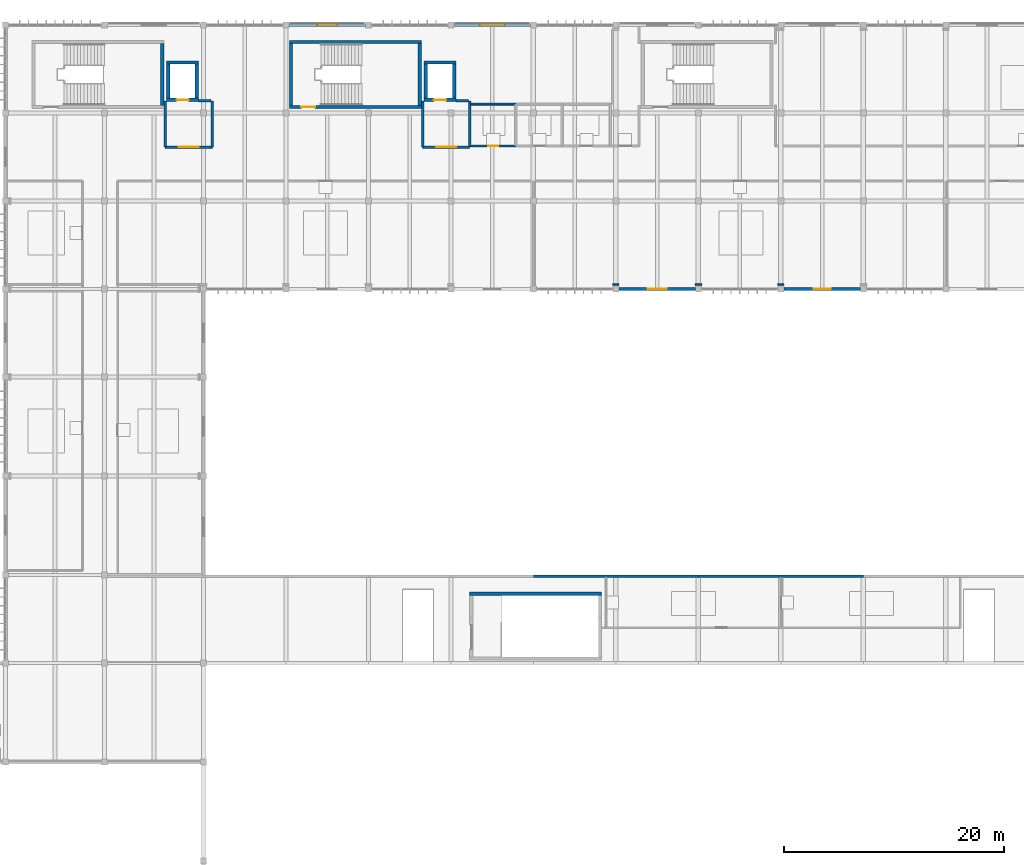
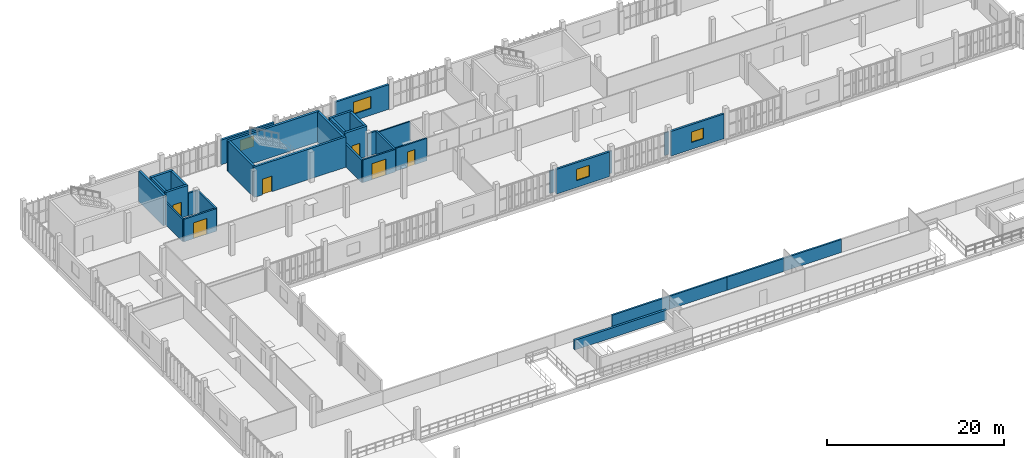
# One storey, part 43 of 61: 35 walls, 6 doors, 4 windows, 10 openings.
"""IFC4 building model written with IfcOpenShell, lengths in metres."""

from ifc_helpers import new_model, si_unit, direction, frame, frame_2d, origin, place, context, subcontext, project, spatial, rectangle, extrude, material, layer, layer_set, type_object, element, fill, save


model = new_model("IFC4")

# Units and contexts
model_context = context("Model", 3, precision=1e-05, world=origin(), true_north=direction((0.0, 1.0)))
body_context = subcontext(model_context, "Body", "Model", "MODEL_VIEW")
ifc_project = project(units=[si_unit("LENGTHUNIT", "METRE"), si_unit("AREAUNIT", "SQUARE_METRE"), si_unit("VOLUMEUNIT", "CUBIC_METRE"), si_unit("PLANEANGLEUNIT", "RADIAN"), si_unit("MASSUNIT", "GRAM", prefix="KILO")], contexts=[model_context])

# Site, building, storey
site_placement = place(None, origin())
site = spatial("IfcSite", under=ifc_project, at=site_placement, CompositionType="ELEMENT")
building_placement = place(site_placement, origin())
building = spatial("IfcBuilding", under=site, at=building_placement, Name="Vourika Railside Aquatics Centre", CompositionType="ELEMENT")
storey_placement = place(building_placement, frame((0.0, 0.0, 9.300048828125)))
storey = spatial("IfcBuildingStorey", under=building, at=storey_placement, Name="L02", CompositionType="ELEMENT", Elevation=9.300048828125)

# Wall
ifc_material_1 = material(Name="Concrete C40/50", Category="concrete")
ifc_layer_1 = layer(ifc_material_1, 0.300048828125, Name="WL-CORE")
ifc_layer_set_1 = layer_set([ifc_layer_1], Name="Concrete C40/50")
wall_type_1 = type_object("IfcWallType", Name="WL-CORE", PredefinedType="SHEAR", material=ifc_layer_set_1)
wall_1_placement = place(storey_placement, frame((32.25, 108.699951171875, 0.0), z_axis=(0.0, 0.0, 1.0), x_axis=(0.0, 1.0, 0.0)))
element("IfcWall", 1, at=wall_1_placement, inside=storey, type_object=wall_type_1, Name="Protected Exit Stair Core ST01 East Wall (L02)", PredefinedType="SHEAR", context=body_context, shape_type="SweptSolid", body=[
    extrude(rectangle(XDim=5.60009765625, YDim=0.300048828125, at=frame_2d((2.800048828125, 0.0))), origin(), (0.0, 0.0, 1.0), 4.199951171875),
])

# Wall, opening, door
wall_2_placement = place(storey_placement, frame((43.800048828125, 108.550048828125, 0.0), z_axis=(0.0, 0.0, 1.0), x_axis=(1.0, 0.0, 0.0)))
wall_2 = element("IfcWall", 2, at=wall_2_placement, inside=storey, type_object=wall_type_1, Name="Protected Exit Stair Core ST02 South Wall (L02)", PredefinedType="SHEAR", context=body_context, shape_type="SweptSolid", body=[
    extrude(rectangle(XDim=12.0, YDim=0.300048828125, at=frame_2d((6.0, 0.0))), origin(), (0.0, 0.0, 1.0), 4.199951171875),
])
opening_1_placement = place(wall_2_placement, frame((1.10009765625, 0.0, 0.0)))
opening_1 = element("IfcOpeningElement", 3, at=opening_1_placement, cuts=wall_2, Name="Opening DF02", PredefinedType="OPENING", context=body_context, shape_type="SweptSolid", body=[
    extrude(rectangle(XDim=1.25, YDim=2.14990234375, at=frame_2d((0.625, 1.074951171875))), frame((0.0, 0.16015625, 0.0), z_axis=(0.0, -1.0, 0.0), x_axis=(1.0, 0.0, 0.0)), (0.0, 0.0, 1.0), 0.320068359375),
])
ifc_material_2 = material(Name="Fire-rated wide exit stair door")
door_type_1 = type_object("IfcDoorType", Name="DR-FD60-125", OperationType="NOTDEFINED", PredefinedType="DOOR", material=ifc_material_2)
door_1_placement = place(opening_1_placement, origin())
door_1 = element("IfcDoor", 4, at=door_1_placement, inside=storey, type_object=door_type_1, Name="Protected Exit Stair Core ST02 Enclosure Fire Door (L02)", OperationType="SINGLE_SWING_RIGHT", OverallHeight=2.14990234375, OverallWidth=1.25, PredefinedType="DOOR", context=body_context, shape_type="SweptSolid", body=[
    extrude(rectangle(XDim=1.25, YDim=2.14990234375, at=frame_2d((0.625, 1.074951171875))), frame((0.0, 0.02490234375, 0.0), z_axis=(0.0, -1.0, 0.0), x_axis=(1.0, 0.0, 0.0)), (0.0, 0.0, 1.0), 0.050048828125),
])
fill(opening_1, door_1)

# Walls
wall_3_placement = place(storey_placement, frame((55.800048828125, 114.449951171875, 0.0), z_axis=(0.0, 0.0, 1.0), x_axis=(-1.0, 0.0, 0.0)))
element("IfcWall", 5, at=wall_3_placement, inside=storey, type_object=wall_type_1, Name="Protected Exit Stair Core ST02 North Wall (L02)", PredefinedType="SHEAR", context=body_context, shape_type="SweptSolid", body=[
    extrude(rectangle(XDim=12.0, YDim=0.300048828125, at=frame_2d((6.0, 0.0))), origin(), (0.0, 0.0, 1.0), 4.199951171875),
])
for number, where, z_axis, x_axis, name in (
    (6, (43.949951171875, 114.300048828125, 0.0), (0.0, 0.0, 1.0), (0.0, -1.0, 0.0), "Protected Exit Stair Core ST02 West Wall (L02)"),
    (7, (55.64990234375, 108.699951171875, 0.0), (0.0, 0.0, 1.0), (0.0, 1.0, 0.0), "Protected Exit Stair Core ST02 East Wall (L02)"),
):
    element("IfcWall", number, at=place(storey_placement, frame(where, z_axis=z_axis, x_axis=x_axis)), inside=storey, type_object=wall_type_1, Name=name, PredefinedType="SHEAR", context=body_context, shape_type="SweptSolid", body=[
        extrude(rectangle(XDim=5.60009765625, YDim=0.300048828125, at=frame_2d((2.800048828125, 0.0))), origin(), (0.0, 0.0, 1.0), 4.199951171875),
    ])
wall_4_placement = place(storey_placement, frame((72.199951171875, 64.300048828125, 0.0), z_axis=(0.0, 0.0, 1.0), x_axis=(-1.0, 0.0, 0.0)))
element("IfcWall", 8, at=wall_4_placement, inside=storey, type_object=wall_type_1, Name="Grandstand Vomitory Exit Stair ST08 North Wall (L02)", PredefinedType="SHEAR", context=body_context, shape_type="SweptSolid", body=[
    extrude(rectangle(XDim=12.0, YDim=0.300048828125, at=frame_2d((6.0, 0.0))), origin(), (0.0, 0.0, 1.0), 1.349853515625),
])

# Wall, opening, door
wall_5_placement = place(storey_placement, frame((32.64990234375, 109.199951171875, 0.0), z_axis=(0.0, 0.0, 1.0), x_axis=(1.0, 0.0, 0.0)))
wall_5 = element("IfcWall", 9, at=wall_5_placement, inside=storey, type_object=wall_type_1, Name="Lift LF01 Shaft South Wall (L02)", PredefinedType="SHEAR", context=body_context, shape_type="SweptSolid", body=[
    extrude(rectangle(XDim=2.900146484375, YDim=0.300048828125, at=frame_2d((1.4501953125, 0.0))), origin(), (0.0, 0.0, 1.0), 4.199951171875),
])
opening_2_placement = place(wall_5_placement, frame((0.89990234375, 0.0, 0.0)))
opening_2 = element("IfcOpeningElement", 10, at=opening_2_placement, cuts=wall_5, Name="Opening LD01", PredefinedType="OPENING", context=body_context, shape_type="SweptSolid", body=[
    extrude(rectangle(XDim=1.10009765625, YDim=2.14990234375, at=frame_2d((0.550048828125, 1.074951171875))), frame((0.0, 0.16015625, 0.0), z_axis=(0.0, -1.0, 0.0), x_axis=(1.0, 0.0, 0.0)), (0.0, 0.0, 1.0), 0.320068359375),
])
ifc_material_3 = material(Name="Stainless firefighting lift landing door")
door_type_2 = type_object("IfcDoorType", Name="DR-LIFT-LD1", OperationType="DOUBLE_DOOR_SLIDING", PredefinedType="DOOR", material=ifc_material_3)
door_2_placement = place(opening_2_placement, origin())
door_2 = element("IfcDoor", 11, at=door_2_placement, inside=storey, type_object=door_type_2, Name="Lift LF01 Sliding Landing Door (L02)", OperationType="DOUBLE_DOOR_SLIDING", OverallHeight=2.14990234375, OverallWidth=1.10009765625, PredefinedType="DOOR", context=body_context, shape_type="SweptSolid", body=[
    extrude(rectangle(XDim=1.10009765625, YDim=2.14990234375, at=frame_2d((0.550048828125, 1.074951171875))), frame((0.0, 0.02490234375, 0.0), z_axis=(0.0, -1.0, 0.0), x_axis=(1.0, 0.0, 0.0)), (0.0, 0.0, 1.0), 0.050048828125),
])
fill(opening_2, door_2)

# Walls
wall_6_placement = place(storey_placement, frame((35.550048828125, 112.60009765625, 0.0), z_axis=(0.0, 0.0, 1.0), x_axis=(-1.0, 0.0, 0.0)))
element("IfcWall", 12, at=wall_6_placement, inside=storey, type_object=wall_type_1, Name="Lift LF01 Shaft North Wall (L02)", PredefinedType="SHEAR", context=body_context, shape_type="SweptSolid", body=[
    extrude(rectangle(XDim=2.900146484375, YDim=0.300048828125, at=frame_2d((1.4501953125, 0.0))), origin(), (0.0, 0.0, 1.0), 4.199951171875),
])
for number, where, z_axis, x_axis, name in (
    (13, (32.800048828125, 112.60009765625, 0.0), (0.0, 0.0, 1.0), (0.0, -1.0, 0.0), "Lift LF01 Shaft West Wall (L02)"),
    (14, (35.39990234375, 109.199951171875, 0.0), (0.0, 0.0, 1.0), (0.0, 1.0, 0.0), "Lift LF01 Shaft East Wall (L02)"),
):
    element("IfcWall", number, at=place(storey_placement, frame(where, z_axis=z_axis, x_axis=x_axis)), inside=storey, type_object=wall_type_1, Name=name, PredefinedType="SHEAR", context=body_context, shape_type="SweptSolid", body=[
        extrude(rectangle(XDim=3.400146484375, YDim=0.300048828125, at=frame_2d((1.7001953125, 0.0))), origin(), (0.0, 0.0, 1.0), 4.199951171875),
    ])

# Wall, opening, door
wall_7_placement = place(storey_placement, frame((56.050048828125, 109.199951171875, 0.0), z_axis=(0.0, 0.0, 1.0), x_axis=(1.0, 0.0, 0.0)))
wall_7 = element("IfcWall", 15, at=wall_7_placement, inside=storey, type_object=wall_type_1, Name="Lift LF02 Shaft South Wall (L02)", PredefinedType="SHEAR", context=body_context, shape_type="SweptSolid", body=[
    extrude(rectangle(XDim=2.89990234375, YDim=0.300048828125, at=frame_2d((1.449951171875, 0.0))), origin(), (0.0, 0.0, 1.0), 4.199951171875),
])
opening_3_placement = place(wall_7_placement, frame((0.89990234375, 0.0, 0.0)))
opening_3 = element("IfcOpeningElement", 16, at=opening_3_placement, cuts=wall_7, Name="Opening LD01", PredefinedType="OPENING", context=body_context, shape_type="SweptSolid", body=[
    extrude(rectangle(XDim=1.10009765625, YDim=2.14990234375, at=frame_2d((0.550048828125, 1.074951171875))), frame((0.0, 0.16015625, 0.0), z_axis=(0.0, -1.0, 0.0), x_axis=(1.0, 0.0, 0.0)), (0.0, 0.0, 1.0), 0.320068359375),
])
door_3_placement = place(opening_3_placement, origin())
door_3 = element("IfcDoor", 17, at=door_3_placement, inside=storey, type_object=door_type_2, Name="Lift LF02 Sliding Landing Door (L02)", OperationType="DOUBLE_DOOR_SLIDING", OverallHeight=2.14990234375, OverallWidth=1.10009765625, PredefinedType="DOOR", context=body_context, shape_type="SweptSolid", body=[
    extrude(rectangle(XDim=1.10009765625, YDim=2.14990234375, at=frame_2d((0.550048828125, 1.074951171875))), frame((0.0, 0.02490234375, 0.0), z_axis=(0.0, -1.0, 0.0), x_axis=(1.0, 0.0, 0.0)), (0.0, 0.0, 1.0), 0.050048828125),
])
fill(opening_3, door_3)

# Walls
wall_8_placement = place(storey_placement, frame((58.949951171875, 112.60009765625, 0.0), z_axis=(0.0, 0.0, 1.0), x_axis=(-1.0, 0.0, 0.0)))
element("IfcWall", 18, at=wall_8_placement, inside=storey, type_object=wall_type_1, Name="Lift LF02 Shaft North Wall (L02)", PredefinedType="SHEAR", context=body_context, shape_type="SweptSolid", body=[
    extrude(rectangle(XDim=2.89990234375, YDim=0.300048828125, at=frame_2d((1.449951171875, 0.0))), origin(), (0.0, 0.0, 1.0), 4.199951171875),
])
for number, where, z_axis, x_axis, name in (
    (19, (56.199951171875, 112.60009765625, 0.0), (0.0, 0.0, 1.0), (0.0, -1.0, 0.0), "Lift LF02 Shaft West Wall (L02)"),
    (20, (58.800048828125, 109.199951171875, 0.0), (0.0, 0.0, 1.0), (0.0, 1.0, 0.0), "Lift LF02 Shaft East Wall (L02)"),
):
    element("IfcWall", number, at=place(storey_placement, frame(where, z_axis=z_axis, x_axis=x_axis)), inside=storey, type_object=wall_type_1, Name=name, PredefinedType="SHEAR", context=body_context, shape_type="SweptSolid", body=[
        extrude(rectangle(XDim=3.400146484375, YDim=0.300048828125, at=frame_2d((1.7001953125, 0.0))), origin(), (0.0, 0.0, 1.0), 4.199951171875),
    ])

# Wall, opening, window
ifc_material_4 = material(Name="Precast concrete C40/50", Category="concrete")
ifc_layer_2 = layer(ifc_material_4, 0.27001953125, Name="WL-EXT-270")
ifc_layer_set_2 = layer_set([ifc_layer_2], Name="Precast concrete C40/50")
wall_type_2 = type_object("IfcWallType", Name="WL-EXT-270", PredefinedType="SOLIDWALL", material=ifc_layer_set_2)
wall_9_placement = place(storey_placement, frame((50.72509765625, 116.0, 0.0), z_axis=(0.0, 0.0, 1.0), x_axis=(-1.0, 0.0, 0.0)))
wall_9 = element("IfcWall", 21, at=wall_9_placement, inside=storey, type_object=wall_type_2, Name="North Boulevard Precast Bay L02-4", PredefinedType="SOLIDWALL", context=body_context, shape_type="SweptSolid", body=[
    extrude(rectangle(XDim=6.9501953125, YDim=0.27001953125, at=frame_2d((3.47509765625, 0.0))), origin(), (0.0, 0.0, 1.0), 3.419921875),
])
opening_4_placement = place(wall_9_placement, frame((2.574951171875, 0.0, 0.949951171875)))
opening_4 = element("IfcOpeningElement", 22, at=opening_4_placement, cuts=wall_9, Name="Opening W08", PredefinedType="OPENING", context=body_context, shape_type="SweptSolid", body=[
    extrude(rectangle(XDim=1.800048828125, YDim=1.5, at=frame_2d((0.89990234375, 0.75))), frame((0.0, 0.14501953125, 0.0), z_axis=(0.0, -1.0, 0.0), x_axis=(1.0, 0.0, 0.0)), (0.0, 0.0, 1.0), 0.2900390625),
])
ifc_material_5 = material(Name="Laminated solar-control glass", Category="glass")
window_type_1 = type_object("IfcWindowType", Name="WN-CLN-180x150", PartitioningType="SINGLE_PANEL", PredefinedType="WINDOW", material=ifc_material_5)
window_1_placement = place(opening_4_placement, origin())
window_1 = element("IfcWindow", 23, at=window_1_placement, inside=storey, type_object=window_type_1, Name="North Boulevard Studio Window L02-4", OverallHeight=1.5, OverallWidth=1.800048828125, PartitioningType="SINGLE_PANEL", PredefinedType="WINDOW", context=body_context, shape_type="SweptSolid", body=[
    extrude(rectangle(XDim=1.800048828125, YDim=1.5, at=frame_2d((0.89990234375, 0.75))), frame((0.0, 0.030029296875, 0.0), z_axis=(0.0, -1.0, 0.0), x_axis=(1.0, 0.0, 0.0)), (0.0, 0.0, 1.0), 0.06005859375),
])
fill(opening_4, window_1)

wall_10_placement = place(storey_placement, frame((65.72509765625, 116.0, 0.0), z_axis=(0.0, 0.0, 1.0), x_axis=(-1.0, 0.0, 0.0)))
wall_10 = element("IfcWall", 24, at=wall_10_placement, inside=storey, type_object=wall_type_2, Name="North Boulevard Precast Bay L02-6", PredefinedType="SOLIDWALL", context=body_context, shape_type="SweptSolid", body=[
    extrude(rectangle(XDim=6.9501953125, YDim=0.27001953125, at=frame_2d((3.47509765625, 0.0))), origin(), (0.0, 0.0, 1.0), 3.419921875),
])
opening_5_placement = place(wall_10_placement, frame((2.35009765625, 0.0, 0.949951171875)))
opening_5 = element("IfcOpeningElement", 25, at=opening_5_placement, cuts=wall_10, Name="Opening W10", PredefinedType="OPENING", context=body_context, shape_type="SweptSolid", body=[
    extrude(rectangle(XDim=2.25, YDim=1.64990234375, at=frame_2d((1.125, 0.824951171875))), frame((0.0, 0.14501953125, 0.0), z_axis=(0.0, -1.0, 0.0), x_axis=(1.0, 0.0, 0.0)), (0.0, 0.0, 1.0), 0.2900390625),
])
window_type_2 = type_object("IfcWindowType", Name="WN-LAB-225x165", PartitioningType="DOUBLE_PANEL_VERTICAL", PredefinedType="WINDOW", material=ifc_material_5)
window_2_placement = place(opening_5_placement, origin())
window_2 = element("IfcWindow", 26, at=window_2_placement, inside=storey, type_object=window_type_2, Name="North Boulevard Studio Window L02-6", OverallHeight=1.64990234375, OverallWidth=2.25, PartitioningType="SINGLE_PANEL", PredefinedType="WINDOW", context=body_context, shape_type="SweptSolid", body=[
    extrude(rectangle(XDim=2.25, YDim=1.64990234375, at=frame_2d((1.125, 0.824951171875))), frame((0.0, 0.030029296875, 0.0), z_axis=(0.0, -1.0, 0.0), x_axis=(1.0, 0.0, 0.0)), (0.0, 0.0, 1.0), 0.06005859375),
])
fill(opening_5, window_2)

wall_11_placement = place(storey_placement, frame((73.77490234375, 92.0, 0.0), z_axis=(0.0, 0.0, 1.0), x_axis=(1.0, 0.0, 0.0)))
wall_11 = element("IfcWall", 27, at=wall_11_placement, inside=storey, type_object=wall_type_2, Name="Courtyard Precast Wall L02-6", PredefinedType="SOLIDWALL", context=body_context, shape_type="SweptSolid", body=[
    extrude(rectangle(XDim=6.9501953125, YDim=0.27001953125, at=frame_2d((3.47509765625, 0.0))), origin(), (0.0, 0.0, 1.0), 3.419921875),
])
opening_6_placement = place(wall_11_placement, frame((2.625, 0.0, 0.949951171875)))
opening_6 = element("IfcOpeningElement", 28, at=opening_6_placement, cuts=wall_11, Name="Opening W11", PredefinedType="OPENING", context=body_context, shape_type="SweptSolid", body=[
    extrude(rectangle(XDim=1.699951171875, YDim=1.550048828125, at=frame_2d((0.85009765625, 0.77490234375))), frame((0.0, 0.14501953125, 0.0), z_axis=(0.0, -1.0, 0.0), x_axis=(1.0, 0.0, 0.0)), (0.0, 0.0, 1.0), 0.2900390625),
])
window_type_3 = type_object("IfcWindowType", Name="WN-LAB-170x155", PartitioningType="SINGLE_PANEL", PredefinedType="WINDOW", material=ifc_material_5)
window_3_placement = place(opening_6_placement, origin())
window_3 = element("IfcWindow", 29, at=window_3_placement, inside=storey, type_object=window_type_3, Name="Courtyard Fitness Window L02-6", OverallHeight=1.550048828125, OverallWidth=1.699951171875, PartitioningType="SINGLE_PANEL", PredefinedType="WINDOW", context=body_context, shape_type="SweptSolid", body=[
    extrude(rectangle(XDim=1.699951171875, YDim=1.550048828125, at=frame_2d((0.85009765625, 0.77490234375))), frame((0.0, 0.030029296875, 0.0), z_axis=(0.0, -1.0, 0.0), x_axis=(1.0, 0.0, 0.0)), (0.0, 0.0, 1.0), 0.06005859375),
])
fill(opening_6, window_3)

wall_12_placement = place(storey_placement, frame((88.77490234375, 92.0, 0.0), z_axis=(0.0, 0.0, 1.0), x_axis=(1.0, 0.0, 0.0)))
wall_12 = element("IfcWall", 30, at=wall_12_placement, inside=storey, type_object=wall_type_2, Name="Courtyard Precast Wall L02-8", PredefinedType="SOLIDWALL", context=body_context, shape_type="SweptSolid", body=[
    extrude(rectangle(XDim=6.9501953125, YDim=0.27001953125, at=frame_2d((3.47509765625, 0.0))), origin(), (0.0, 0.0, 1.0), 3.419921875),
])
opening_7_placement = place(wall_12_placement, frame((2.699951171875, 0.0, 0.949951171875)))
opening_7 = element("IfcOpeningElement", 31, at=opening_7_placement, cuts=wall_12, Name="Opening W09", PredefinedType="OPENING", context=body_context, shape_type="SweptSolid", body=[
    extrude(rectangle(XDim=1.550048828125, YDim=1.449951171875, at=frame_2d((0.77490234375, 0.72509765625))), frame((0.0, 0.14501953125, 0.0), z_axis=(0.0, -1.0, 0.0), x_axis=(1.0, 0.0, 0.0)), (0.0, 0.0, 1.0), 0.2900390625),
])
window_type_4 = type_object("IfcWindowType", Name="WN-CLN-155x145", PartitioningType="SINGLE_PANEL", PredefinedType="WINDOW", material=ifc_material_5)
window_4_placement = place(opening_7_placement, origin())
window_4 = element("IfcWindow", 32, at=window_4_placement, inside=storey, type_object=window_type_4, Name="Courtyard Fitness Window L02-8", OverallHeight=1.449951171875, OverallWidth=1.550048828125, PartitioningType="SINGLE_PANEL", PredefinedType="WINDOW", context=body_context, shape_type="SweptSolid", body=[
    extrude(rectangle(XDim=1.550048828125, YDim=1.449951171875, at=frame_2d((0.77490234375, 0.72509765625))), frame((0.0, 0.030029296875, 0.0), z_axis=(0.0, -1.0, 0.0), x_axis=(1.0, 0.0, 0.0)), (0.0, 0.0, 1.0), 0.06005859375),
])
fill(opening_7, window_4)

# Wall, opening, door
ifc_material_6 = material(Name="Concrete C35/45", Category="concrete")
ifc_layer_3 = layer(ifc_material_6, 0.219970703125, Name="WL-FIRE")
ifc_layer_set_3 = layer_set([ifc_layer_3], Name="Concrete C35/45")
wall_type_3 = type_object("IfcWallType", Name="WL-FIRE", PredefinedType="SOLIDWALL", material=ifc_layer_set_3)
wall_13_placement = place(storey_placement, frame((32.52001953125, 104.89990234375, 0.0), z_axis=(0.0, 0.0, 1.0), x_axis=(1.0, 0.0, 0.0)))
wall_13 = element("IfcWall", 33, at=wall_13_placement, inside=storey, type_object=wall_type_3, Name="Lift LF01 Lobby Corridor Fire Wall (L02)", PredefinedType="SOLIDWALL", context=body_context, shape_type="SweptSolid", body=[
    extrude(rectangle(XDim=4.280029296875, YDim=0.219970703125, at=frame_2d((2.14013671875, 0.0))), origin(), (0.0, 0.0, 1.0), 3.119873046875),
])
opening_8_placement = place(wall_13_placement, frame((1.239990234375, 0.0, 0.0)))
opening_8 = element("IfcOpeningElement", 34, at=opening_8_placement, cuts=wall_13, Name="Opening DF03", PredefinedType="OPENING", context=body_context, shape_type="SweptSolid", body=[
    extrude(rectangle(XDim=1.800048828125, YDim=2.199951171875, at=frame_2d((0.89990234375, 1.10009765625))), frame((0.0, 0.1201171875, 0.0), z_axis=(0.0, -1.0, 0.0), x_axis=(1.0, 0.0, 0.0)), (0.0, 0.0, 1.0), 0.239990234375),
])
ifc_material_7 = material(Name="Fire-rated double lobby door")
door_type_3 = type_object("IfcDoorType", Name="DR-FD60D", OperationType="DOUBLE_DOOR_SINGLE_SWING", PredefinedType="DOOR", material=ifc_material_7)
door_4_placement = place(opening_8_placement, origin())
door_4 = element("IfcDoor", 35, at=door_4_placement, inside=storey, type_object=door_type_3, Name="Lift LF01 Lobby Fire Door (L02)", OperationType="DOUBLE_DOOR_SINGLE_SWING", OverallHeight=2.199951171875, OverallWidth=1.800048828125, PredefinedType="DOOR", context=body_context, shape_type="SweptSolid", body=[
    extrude(rectangle(XDim=1.800048828125, YDim=2.199951171875, at=frame_2d((0.89990234375, 1.10009765625))), frame((0.0, 0.02490234375, 0.0), z_axis=(0.0, -1.0, 0.0), x_axis=(1.0, 0.0, 0.0)), (0.0, 0.0, 1.0), 0.050048828125),
])
fill(opening_8, door_4)

# Walls
for number, where, z_axis, x_axis, name in (
    (36, (32.52001953125, 104.89990234375, 0.0), (0.0, 0.0, 1.0), (0.0, 1.0, 0.0), "Lift LF01 Lobby West Fire Wall (L02)"),
    (37, (36.800048828125, 104.89990234375, 0.0), (0.0, 0.0, 1.0), (0.0, 1.0, 0.0), "Lift LF01 Lobby East Fire Wall (L02)"),
):
    element("IfcWall", number, at=place(storey_placement, frame(where, z_axis=z_axis, x_axis=x_axis)), inside=storey, type_object=wall_type_3, Name=name, PredefinedType="SOLIDWALL", context=body_context, shape_type="SweptSolid", body=[
        extrude(rectangle(XDim=4.2001953125, YDim=0.219970703125, at=frame_2d((2.10009765625, 0.0))), origin(), (0.0, 0.0, 1.0), 3.119873046875),
    ])
wall_14_placement = place(storey_placement, frame((35.550048828125, 109.10009765625, 0.0), z_axis=(0.0, 0.0, 1.0), x_axis=(1.0, 0.0, 0.0)))
element("IfcWall", 38, at=wall_14_placement, inside=storey, type_object=wall_type_3, Name="Lift LF01 Lobby North-East Closure Wall (L02)", PredefinedType="SOLIDWALL", context=body_context, shape_type="SweptSolid", body=[
    extrude(rectangle(XDim=1.1298828125, YDim=0.219970703125, at=frame_2d((0.56494140625, 0.0))), origin(), (0.0, 0.0, 1.0), 3.119873046875),
])

# Wall, opening, door
wall_15_placement = place(storey_placement, frame((55.919921875, 104.89990234375, 0.0), z_axis=(0.0, 0.0, 1.0), x_axis=(1.0, 0.0, 0.0)))
wall_15 = element("IfcWall", 39, at=wall_15_placement, inside=storey, type_object=wall_type_3, Name="Lift LF02 Lobby Corridor Fire Wall (L02)", PredefinedType="SOLIDWALL", context=body_context, shape_type="SweptSolid", body=[
    extrude(rectangle(XDim=4.280029296875, YDim=0.219970703125, at=frame_2d((2.14013671875, 0.0))), origin(), (0.0, 0.0, 1.0), 3.119873046875),
])
opening_9_placement = place(wall_15_placement, frame((1.239990234375, 0.0, 0.0)))
opening_9 = element("IfcOpeningElement", 40, at=opening_9_placement, cuts=wall_15, Name="Opening DF03", PredefinedType="OPENING", context=body_context, shape_type="SweptSolid", body=[
    extrude(rectangle(XDim=1.800048828125, YDim=2.199951171875, at=frame_2d((0.89990234375, 1.10009765625))), frame((0.0, 0.1201171875, 0.0), z_axis=(0.0, -1.0, 0.0), x_axis=(1.0, 0.0, 0.0)), (0.0, 0.0, 1.0), 0.239990234375),
])
door_5_placement = place(opening_9_placement, origin())
door_5 = element("IfcDoor", 41, at=door_5_placement, inside=storey, type_object=door_type_3, Name="Lift LF02 Lobby Fire Door (L02)", OperationType="DOUBLE_DOOR_SINGLE_SWING", OverallHeight=2.199951171875, OverallWidth=1.800048828125, PredefinedType="DOOR", context=body_context, shape_type="SweptSolid", body=[
    extrude(rectangle(XDim=1.800048828125, YDim=2.199951171875, at=frame_2d((0.89990234375, 1.10009765625))), frame((0.0, 0.02490234375, 0.0), z_axis=(0.0, -1.0, 0.0), x_axis=(1.0, 0.0, 0.0)), (0.0, 0.0, 1.0), 0.050048828125),
])
fill(opening_9, door_5)

# Walls
for number, where, z_axis, x_axis, name in (
    (42, (55.919921875, 104.89990234375, 0.0), (0.0, 0.0, 1.0), (0.0, 1.0, 0.0), "Lift LF02 Lobby West Fire Wall (L02)"),
    (43, (60.199951171875, 104.89990234375, 0.0), (0.0, 0.0, 1.0), (0.0, 1.0, 0.0), "Lift LF02 Lobby East Fire Wall (L02)"),
):
    element("IfcWall", number, at=place(storey_placement, frame(where, z_axis=z_axis, x_axis=x_axis)), inside=storey, type_object=wall_type_3, Name=name, PredefinedType="SOLIDWALL", context=body_context, shape_type="SweptSolid", body=[
        extrude(rectangle(XDim=4.2001953125, YDim=0.219970703125, at=frame_2d((2.10009765625, 0.0))), origin(), (0.0, 0.0, 1.0), 3.119873046875),
    ])
wall_16_placement = place(storey_placement, frame((58.949951171875, 109.10009765625, 0.0), z_axis=(0.0, 0.0, 1.0), x_axis=(1.0, 0.0, 0.0)))
element("IfcWall", 44, at=wall_16_placement, inside=storey, type_object=wall_type_3, Name="Lift LF02 Lobby North-East Closure Wall (L02)", PredefinedType="SOLIDWALL", context=body_context, shape_type="SweptSolid", body=[
    extrude(rectangle(XDim=1.130126953125, YDim=0.219970703125, at=frame_2d((0.56494140625, 0.0))), origin(), (0.0, 0.0, 1.0), 3.119873046875),
])
ifc_layer_4 = layer(ifc_material_4, 0.22998046875, Name="WL-PAR-230")
ifc_layer_set_4 = layer_set([ifc_layer_4], Name="Precast concrete C40/50")
wall_type_4 = type_object("IfcWallType", Name="WL-PAR-230", PredefinedType="PARAPET", material=ifc_layer_set_4)
for number, where, z_axis, x_axis, name in (
    (45, (73.5, 65.8798828125, 0.0), (0.0, 0.0, 1.0), (-1.0, 0.0, 0.0), "Broadcast Catwalk North Spandrel 5"),
    (46, (81.0, 65.8798828125, 0.0), (0.0, 0.0, 1.0), (-1.0, 0.0, 0.0), "Broadcast Catwalk North Spandrel 6"),
    (47, (88.5, 65.8798828125, 0.0), (0.0, 0.0, 1.0), (-1.0, 0.0, 0.0), "Broadcast Catwalk North Spandrel 7"),
    (48, (96.0, 65.8798828125, 0.0), (0.0, 0.0, 1.0), (-1.0, 0.0, 0.0), "Broadcast Catwalk North Spandrel 8"),
):
    element("IfcWall", number, at=place(storey_placement, frame(where, z_axis=z_axis, x_axis=x_axis)), inside=storey, type_object=wall_type_4, Name=name, PredefinedType="PARAPET", context=body_context, shape_type="SweptSolid", body=[
        extrude(rectangle(XDim=7.5, YDim=0.22998046875, at=frame_2d((3.75, 0.0))), origin(), (0.0, 0.0, 1.0), 1.800048828125),
    ])
ifc_material_8 = material(Name="Clinical hygienic partition")
ifc_layer_5 = layer(ifc_material_8, 0.139892578125, Name="WL-PART-140")
ifc_layer_set_5 = layer_set([ifc_layer_5], Name="Clinical hygienic partition")
wall_type_5 = type_object("IfcWallType", Name="WL-PART-140", PredefinedType="PARTITIONING", material=ifc_layer_set_5)
for number, where, z_axis, x_axis, name in (
    (49, (88.77490234375, 92.39990234375, 0.0), (0.0, 0.0, 1.0), (-1.0, 0.0, 0.0), "Aquatic Biomechanics Motion-Capture Laboratory Partition 5"),
    (50, (81.304931640625, 92.39990234375, 0.0), (0.0, 0.0, 1.0), (-1.0, 0.0, 0.0), "Aquatic Biomechanics Motion-Capture Laboratory Partition 6"),
    (51, (73.77490234375, 92.39990234375, 0.0), (0.0, 0.0, 1.0), (-1.0, 0.0, 0.0), "Aquatic Biomechanics Motion-Capture Laboratory Partition 7"),
):
    element("IfcWall", number, at=place(storey_placement, frame(where, z_axis=z_axis, x_axis=x_axis)), inside=storey, type_object=wall_type_5, Name=name, PredefinedType="PARTITIONING", context=body_context, shape_type="SweptSolid", body=[
        extrude(rectangle(XDim=0.579833984375, YDim=0.139892578125, at=frame_2d((0.2900390625, 0.0))), origin(), (0.0, 0.0, 1.0), 3.119873046875),
    ])

# Wall, opening, door
ifc_material_9 = material(Name="Moisture-resistant wet-village blockwork", Category="masonry")
ifc_layer_6 = layer(ifc_material_9, 0.179931640625, Name="WL-PART-180")
ifc_layer_set_6 = layer_set([ifc_layer_6], Name="Moisture-resistant wet-village blockwork")
wall_type_6 = type_object("IfcWallType", Name="WL-PART-180", PredefinedType="PARTITIONING", material=ifc_layer_set_6)
wall_17_placement = place(storey_placement, frame((64.39990234375, 105.0, 0.0), z_axis=(0.0, 0.0, 1.0), x_axis=(-1.0, 0.0, 0.0)))
wall_17 = element("IfcWall", 52, at=wall_17_placement, inside=storey, type_object=wall_type_6, Name="Media and Lab Male WC Partition 1", PredefinedType="PARTITIONING", context=body_context, shape_type="SweptSolid", body=[
    extrude(rectangle(XDim=4.10986328125, YDim=0.179931640625, at=frame_2d((2.054931640625, 0.0))), origin(), (0.0, 0.0, 1.0), 3.119873046875),
])
opening_10_placement = place(wall_17_placement, frame((1.580078125, 0.0, 0.0)))
opening_10 = element("IfcOpeningElement", 53, at=opening_10_placement, cuts=wall_17, Name="Opening DW01", PredefinedType="OPENING", context=body_context, shape_type="SweptSolid", body=[
    extrude(rectangle(XDim=0.949951171875, YDim=2.10009765625, at=frame_2d((0.47509765625, 1.050048828125))), frame((0.0, 0.10009765625, 0.0), z_axis=(0.0, -1.0, 0.0), x_axis=(1.0, 0.0, 0.0)), (0.0, 0.0, 1.0), 0.199951171875),
])
ifc_material_10 = material(Name="Moisture-resistant HPL washroom door")
door_type_4 = type_object("IfcDoorType", Name="DR-WC-950", OperationType="NOTDEFINED", PredefinedType="DOOR", material=ifc_material_10)
door_6_placement = place(opening_10_placement, origin())
door_6 = element("IfcDoor", 54, at=door_6_placement, inside=storey, type_object=door_type_4, Name="Media and Lab Male WC Door", OperationType="SINGLE_SWING_LEFT", OverallHeight=2.10009765625, OverallWidth=0.949951171875, PredefinedType="DOOR", context=body_context, shape_type="SweptSolid", body=[
    extrude(rectangle(XDim=0.949951171875, YDim=2.10009765625, at=frame_2d((0.47509765625, 1.050048828125))), frame((0.0, 0.02490234375, 0.0), z_axis=(0.0, -1.0, 0.0), x_axis=(1.0, 0.0, 0.0)), (0.0, 0.0, 1.0), 0.050048828125),
])
fill(opening_10, door_6)

# Wall
wall_18_placement = place(storey_placement, frame((60.2900390625, 108.800048828125, 0.0), z_axis=(0.0, 0.0, 1.0), x_axis=(1.0, 0.0, 0.0)))
element("IfcWall", 55, at=wall_18_placement, inside=storey, type_object=wall_type_6, Name="Media and Lab Male WC Partition 3", PredefinedType="PARTITIONING", context=body_context, shape_type="SweptSolid", body=[
    extrude(rectangle(XDim=4.10986328125, YDim=0.179931640625, at=frame_2d((2.054931640625, 0.0))), origin(), (0.0, 0.0, 1.0), 3.119873046875),
])

save(model, "model.ifc")
